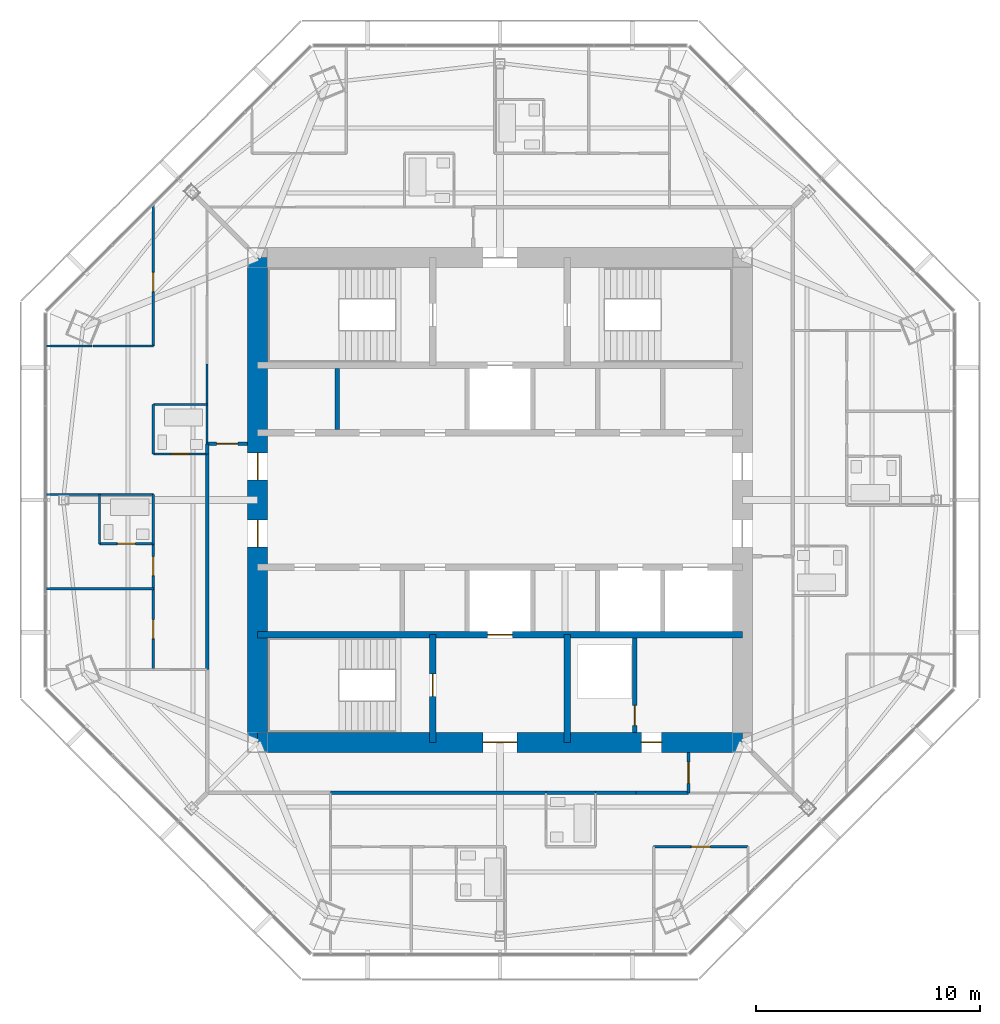
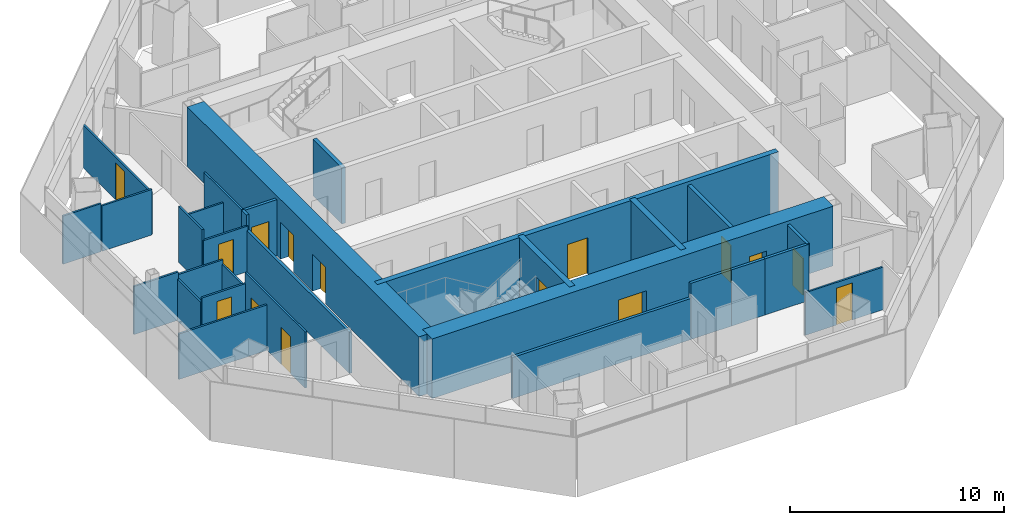
# One storey, part 10 of 15: 30 walls, 15 doors, 15 openings.
"""IFC4 building model written with IfcOpenShell, lengths in metres."""

from ifc_helpers import new_model, si_unit, direction, frame, frame_2d, origin, place, context, subcontext, project, spatial, rectangle, extrude, material, layer, layer_set, type_object, element, fill, save


model = new_model("IFC4")

# Units and contexts
model_context = context("Model", 3, precision=1e-05, world=origin(), true_north=direction((0.0, 1.0)))
body_context = subcontext(model_context, "Body", "Model", "MODEL_VIEW")
ifc_project = project(units=[si_unit("LENGTHUNIT", "METRE"), si_unit("AREAUNIT", "SQUARE_METRE"), si_unit("VOLUMEUNIT", "CUBIC_METRE"), si_unit("PLANEANGLEUNIT", "RADIAN"), si_unit("MASSUNIT", "GRAM", prefix="KILO")], contexts=[model_context])

# Site, building, storey
site_placement = place(None, origin())
site = spatial("IfcSite", under=ifc_project, at=site_placement, CompositionType="ELEMENT")
building_placement = place(site_placement, origin())
building = spatial("IfcBuilding", under=site, at=building_placement, Name="Mashrafa Tower", CompositionType="ELEMENT")
storey_placement = place(building_placement, frame((0.0, 0.0, 274.199951171875)))
storey = spatial("IfcBuildingStorey", under=building, at=storey_placement, Name="L66", CompositionType="ELEMENT", Elevation=274.199951171875)

# Wall, opening, door
ifc_material_1 = material(Name="Concrete masonry unit", Category="masonry")
ifc_layer_1 = layer(ifc_material_1, 0.199951171875)
ifc_layer_set_1 = layer_set([ifc_layer_1], Name="Blockwork wall 200 2 hr")
wall_type_1 = type_object("IfcWallType", Name="Blockwork wall 200 2 hr", PredefinedType="PARTITIONING", material=ifc_layer_set_1)
wall_1_placement = place(storey_placement, frame((6.0, -10.35009765625, 0.0), z_axis=(0.0, 0.0, 1.0), x_axis=(0.0, 1.0, 0.0)))
wall_1 = element("IfcWall", 1, at=wall_1_placement, inside=storey, type_object=wall_type_1, Name="Riser enclosure wall L66", PredefinedType="PARTITIONING", context=body_context, shape_type="SweptSolid", body=[
    extrude(rectangle(XDim=4.2001953125, YDim=0.199951171875, at=frame_2d((2.10009765625, 0.0))), origin(), (0.0, 0.0, 1.0), 3.199951171875),
])
opening_1_placement = place(wall_1_placement, frame((0.300048828125, 0.0, 0.0)))
opening_1 = element("IfcOpeningElement", 2, at=opening_1_placement, cuts=wall_1, Name="Opening 66.043", PredefinedType="OPENING", context=body_context, shape_type="SweptSolid", body=[
    extrude(rectangle(XDim=0.89990234375, YDim=2.10009765625, at=frame_2d((0.449951171875, 1.050048828125))), frame((0.0, 0.10986328125, 0.0), z_axis=(0.0, -1.0, 0.0), x_axis=(1.0, 0.0, 0.0)), (0.0, 0.0, 1.0), 0.219970703125),
])
ifc_material_2 = material(Name="Steel door", Category="steel")
door_type_1 = type_object("IfcDoorType", Name="Service door 900 x 2100 90 min", OperationType="USERDEFINED", PredefinedType="DOOR", material=ifc_material_2)
door_1_placement = place(opening_1_placement, origin())
door_1 = element("IfcDoor", 3, at=door_1_placement, inside=storey, type_object=door_type_1, Name="Riser door L66", OperationType="SINGLE_SWING_LEFT", OverallHeight=2.10009765625, OverallWidth=0.89990234375, PredefinedType="DOOR", context=body_context, shape_type="SweptSolid", body=[
    extrude(rectangle(XDim=0.89990234375, YDim=2.10009765625, at=frame_2d((0.449951171875, 1.050048828125))), frame((0.0, 0.02490234375, 0.0), z_axis=(0.0, -1.0, 0.0), x_axis=(1.0, 0.0, 0.0)), (0.0, 0.0, 1.0), 0.050048828125),
])
fill(opening_1, door_1)

ifc_material_3 = material(Name="Concrete C50/60", Category="concrete")
ifc_layer_2 = layer(ifc_material_3, 0.300048828125)
ifc_layer_set_2 = layer_set([ifc_layer_2], Name="Core wall 300 C50/60")
wall_type_2 = type_object("IfcWallType", Name="Core wall 300 C50/60", PredefinedType="SOLIDWALL", material=ifc_layer_set_2)
wall_2_placement = place(storey_placement, frame((-10.800048828125, -6.0, 0.0), z_axis=(0.0, 0.0, 1.0), x_axis=(1.0, 0.0, 0.0)))
wall_2 = element("IfcWall", 4, at=wall_2_placement, inside=storey, type_object=wall_type_2, Name="Core wall CB-S L66", PredefinedType="SOLIDWALL", context=body_context, shape_type="SweptSolid", body=[
    extrude(rectangle(XDim=21.60009765625, YDim=0.300048828125, at=frame_2d((10.800048828125, 0.0))), origin(), (0.0, 0.0, 1.0), 3.400146484375),
])
opening_2_placement = place(wall_2_placement, frame((10.25, 0.0, 0.0)))
opening_2 = element("IfcOpeningElement", 5, at=opening_2_placement, cuts=wall_2, Name="Opening 66.F2", PredefinedType="OPENING", context=body_context, shape_type="SweptSolid", body=[
    extrude(rectangle(XDim=1.10009765625, YDim=2.10009765625, at=frame_2d((0.550048828125, 1.050048828125))), frame((0.0, 0.159912109375, 0.0), z_axis=(0.0, -1.0, 0.0), x_axis=(1.0, 0.0, 0.0)), (0.0, 0.0, 1.0), 0.320068359375),
])
ifc_material_4 = material(Name="Steel door", Category="steel")
door_type_2 = type_object("IfcDoorType", Name="Lift landing door 1100 x 2100 90 min", OperationType="DOUBLE_DOOR_SLIDING", PredefinedType="DOOR", material=ifc_material_4)
door_2_placement = place(opening_2_placement, origin())
door_2 = element("IfcDoor", 6, at=door_2_placement, inside=storey, type_object=door_type_2, Name="Lift landing door F2 L66", OperationType="DOUBLE_DOOR_SLIDING", OverallHeight=2.10009765625, OverallWidth=1.10009765625, PredefinedType="DOOR", context=body_context, shape_type="SweptSolid", body=[
    extrude(rectangle(XDim=1.10009765625, YDim=2.10009765625, at=frame_2d((0.550048828125, 1.050048828125))), frame((0.0, 0.02490234375, 0.0), z_axis=(0.0, -1.0, 0.0), x_axis=(1.0, 0.0, 0.0)), (0.0, 0.0, 1.0), 0.050048828125),
])
fill(opening_2, door_2)

wall_3_placement = place(storey_placement, frame((-3.0, -6.0, 0.0), z_axis=(0.0, 0.0, 1.0), x_axis=(0.0, -1.0, 0.0)))
wall_3 = element("IfcWall", 7, at=wall_3_placement, inside=storey, type_object=wall_type_2, Name="Core wall CX-SW L66", PredefinedType="SOLIDWALL", context=body_context, shape_type="SweptSolid", body=[
    extrude(rectangle(XDim=4.800048828125, YDim=0.300048828125, at=frame_2d((2.39990234375, 0.0))), origin(), (0.0, 0.0, 1.0), 3.400146484375),
])
opening_3_placement = place(wall_3_placement, frame((1.75, 0.0, 0.0)))
opening_3 = element("IfcOpeningElement", 8, at=opening_3_placement, cuts=wall_3, Name="Opening 66.041", PredefinedType="OPENING", context=body_context, shape_type="SweptSolid", body=[
    extrude(rectangle(XDim=1.0, YDim=2.10009765625, at=frame_2d((0.5, 1.050048828125))), frame((0.0, 0.159912109375, 0.0), z_axis=(0.0, -1.0, 0.0), x_axis=(1.0, 0.0, 0.0)), (0.0, 0.0, 1.0), 0.320068359375),
])
ifc_material_5 = material(Name="Steel door", Category="steel")
door_type_3 = type_object("IfcDoorType", Name="Stair door 1000 x 2100 90 min", OperationType="USERDEFINED", PredefinedType="DOOR", material=ifc_material_5)
door_3_placement = place(opening_3_placement, frame((1.0, 0.0, 0.0), z_axis=(0.0, 0.0, 1.0), x_axis=(-1.0, 0.0, 0.0)))
door_3 = element("IfcDoor", 9, at=door_3_placement, inside=storey, type_object=door_type_3, Name="Stair S3 door L66", OperationType="SINGLE_SWING_RIGHT", OverallHeight=2.10009765625, OverallWidth=1.0, PredefinedType="DOOR", context=body_context, shape_type="SweptSolid", body=[
    extrude(rectangle(XDim=1.0, YDim=2.10009765625, at=frame_2d((0.5, 1.050048828125))), frame((0.0, 0.02490234375, 0.0), z_axis=(0.0, -1.0, 0.0), x_axis=(1.0, 0.0, 0.0)), (0.0, 0.0, 1.0), 0.050048828125),
])
fill(opening_3, door_3)

# Wall
wall_4_placement = place(storey_placement, frame((3.0, -6.0, 0.0), z_axis=(0.0, 0.0, 1.0), x_axis=(0.0, -1.0, 0.0)))
element("IfcWall", 10, at=wall_4_placement, inside=storey, type_object=wall_type_2, Name="Core wall CX-SE L66", PredefinedType="SOLIDWALL", context=body_context, shape_type="SweptSolid", body=[
    extrude(rectangle(XDim=4.800048828125, YDim=0.300048828125, at=frame_2d((2.39990234375, 0.0))), origin(), (0.0, 0.0, 1.0), 3.400146484375),
])

# Wall, openings, doors
ifc_material_6 = material(Name="Concrete C50/60", Category="concrete")
ifc_layer_3 = layer(ifc_material_6, 0.89990234375)
ifc_layer_set_3 = layer_set([ifc_layer_3], Name="Core wall 900 C50/60")
wall_type_3 = type_object("IfcWallType", Name="Core wall 900 C50/60", PredefinedType="SOLIDWALL", material=ifc_layer_set_3)
wall_5_placement = place(storey_placement, frame((-10.800048828125, -10.800048828125, 0.0), z_axis=(0.0, 0.0, 1.0), x_axis=(1.0, 0.0, 0.0)))
wall_5 = element("IfcWall", 11, at=wall_5_placement, inside=storey, type_object=wall_type_3, Name="Core wall CW-S L66", PredefinedType="SOLIDWALL", context=body_context, shape_type="SweptSolid", body=[
    extrude(rectangle(XDim=21.60009765625, YDim=0.89990234375, at=frame_2d((10.800048828125, 0.0))), origin(), (0.0, 0.0, 1.0), 3.400146484375),
])
opening_4_placement = place(wall_5_placement, frame((10.050048828125, 0.0, 0.0)))
opening_4 = element("IfcOpeningElement", 12, at=opening_4_placement, cuts=wall_5, Name="Opening 66.038", PredefinedType="OPENING", context=body_context, shape_type="SweptSolid", body=[
    extrude(rectangle(XDim=1.5, YDim=2.10009765625, at=frame_2d((0.75, 1.050048828125))), frame((0.0, 0.4599609375, 0.0), z_axis=(0.0, -1.0, 0.0), x_axis=(1.0, 0.0, 0.0)), (0.0, 0.0, 1.0), 0.919921875),
])
opening_5_placement = place(wall_5_placement, frame((17.10009765625, 0.0, 0.0)))
opening_5 = element("IfcOpeningElement", 13, at=opening_5_placement, cuts=wall_5, Name="Opening 66.042", PredefinedType="OPENING", context=body_context, shape_type="SweptSolid", body=[
    extrude(rectangle(XDim=0.89990234375, YDim=2.10009765625, at=frame_2d((0.449951171875, 1.050048828125))), frame((0.0, 0.4599609375, 0.0), z_axis=(0.0, -1.0, 0.0), x_axis=(1.0, 0.0, 0.0)), (0.0, 0.0, 1.0), 0.919921875),
])
ifc_material_7 = material(Name="Steel door", Category="steel")
door_type_4 = type_object("IfcDoorType", Name="Lobby door pair 1500 x 2100 90 min", OperationType="DOUBLE_DOOR_SINGLE_SWING", PredefinedType="DOOR", material=ifc_material_7)
door_4_placement = place(opening_4_placement, origin())
door_4 = element("IfcDoor", 14, at=door_4_placement, inside=storey, type_object=door_type_4, Name="Fire-fighting lobby F2 door L66", OperationType="DOUBLE_DOOR_SINGLE_SWING", OverallHeight=2.10009765625, OverallWidth=1.5, PredefinedType="DOOR", context=body_context, shape_type="SweptSolid", body=[
    extrude(rectangle(XDim=1.5, YDim=2.10009765625, at=frame_2d((0.75, 1.050048828125))), frame((0.0, 0.02490234375, 0.0), z_axis=(0.0, -1.0, 0.0), x_axis=(1.0, 0.0, 0.0)), (0.0, 0.0, 1.0), 0.050048828125),
])
fill(opening_4, door_4)
door_5_placement = place(opening_5_placement, origin())
door_5 = element("IfcDoor", 15, at=door_5_placement, inside=storey, type_object=door_type_1, Name="Electrical Room L66 door", OperationType="SINGLE_SWING_LEFT", OverallHeight=2.10009765625, OverallWidth=0.89990234375, PredefinedType="DOOR", context=body_context, shape_type="SweptSolid", body=[
    extrude(rectangle(XDim=0.89990234375, YDim=2.10009765625, at=frame_2d((0.449951171875, 1.050048828125))), frame((0.0, 0.02490234375, 0.0), z_axis=(0.0, -1.0, 0.0), x_axis=(1.0, 0.0, 0.0)), (0.0, 0.0, 1.0), 0.050048828125),
])
fill(opening_5, door_5)

wall_6_placement = place(storey_placement, frame((-10.800048828125, 10.800048828125, 0.0), z_axis=(0.0, 0.0, 1.0), x_axis=(0.0, -1.0, 0.0)))
wall_6 = element("IfcWall", 16, at=wall_6_placement, inside=storey, type_object=wall_type_3, Name="Core wall CW-W L66", PredefinedType="SOLIDWALL", context=body_context, shape_type="SweptSolid", body=[
    extrude(rectangle(XDim=21.60009765625, YDim=0.89990234375, at=frame_2d((10.800048828125, 0.0))), origin(), (0.0, 0.0, 1.0), 3.400146484375),
])
opening_6_placement = place(wall_6_placement, frame((8.699951171875, 0.0, 0.0)))
opening_6 = element("IfcOpeningElement", 17, at=opening_6_placement, cuts=wall_6, Name="Opening 66.034", PredefinedType="OPENING", context=body_context, shape_type="SweptSolid", body=[
    extrude(rectangle(XDim=1.199951171875, YDim=2.10009765625, at=frame_2d((0.60009765625, 1.050048828125))), frame((0.0, 0.4599609375, 0.0), z_axis=(0.0, -1.0, 0.0), x_axis=(1.0, 0.0, 0.0)), (0.0, 0.0, 1.0), 0.919921875),
])
opening_7_placement = place(wall_6_placement, frame((11.699951171875, 0.0, 0.0)))
opening_7 = element("IfcOpeningElement", 18, at=opening_7_placement, cuts=wall_6, Name="Opening 66.036", PredefinedType="OPENING", context=body_context, shape_type="SweptSolid", body=[
    extrude(rectangle(XDim=1.199951171875, YDim=2.10009765625, at=frame_2d((0.60009765625, 1.050048828125))), frame((0.0, 0.4599609375, 0.0), z_axis=(0.0, -1.0, 0.0), x_axis=(1.0, 0.0, 0.0)), (0.0, 0.0, 1.0), 0.919921875),
])
ifc_material_8 = material(Name="Steel door", Category="steel")
door_type_5 = type_object("IfcDoorType", Name="Lift hall door 1200 x 2100 90 min", OperationType="USERDEFINED", PredefinedType="DOOR", material=ifc_material_8)
door_6_placement = place(opening_6_placement, origin())
door_6 = element("IfcDoor", 19, at=door_6_placement, inside=storey, type_object=door_type_5, Name="Lift hall door west L66", OperationType="SINGLE_SWING_LEFT", OverallHeight=2.10009765625, OverallWidth=1.199951171875, PredefinedType="DOOR", context=body_context, shape_type="SweptSolid", body=[
    extrude(rectangle(XDim=1.199951171875, YDim=2.10009765625, at=frame_2d((0.60009765625, 1.050048828125))), frame((0.0, 0.02490234375, 0.0), z_axis=(0.0, -1.0, 0.0), x_axis=(1.0, 0.0, 0.0)), (0.0, 0.0, 1.0), 0.050048828125),
])
fill(opening_6, door_6)
door_7_placement = place(opening_7_placement, frame((1.199951171875, 0.0, 0.0), z_axis=(0.0, 0.0, 1.0), x_axis=(-1.0, 0.0, 0.0)))
door_7 = element("IfcDoor", 20, at=door_7_placement, inside=storey, type_object=door_type_5, Name="Lift hall door west L66", OperationType="SINGLE_SWING_RIGHT", OverallHeight=2.10009765625, OverallWidth=1.199951171875, PredefinedType="DOOR", context=body_context, shape_type="SweptSolid", body=[
    extrude(rectangle(XDim=1.199951171875, YDim=2.10009765625, at=frame_2d((0.60009765625, 1.050048828125))), frame((0.0, 0.02490234375, 0.0), z_axis=(0.0, -1.0, 0.0), x_axis=(1.0, 0.0, 0.0)), (0.0, 0.0, 1.0), 0.050048828125),
])
fill(opening_7, door_7)

# Walls
ifc_material_9 = material(Name="Gypsum board on steel studs", Category="steel")
ifc_layer_4 = layer(ifc_material_9, 0.14990234375)
ifc_layer_set_4 = layer_set([ifc_layer_4], Name="Corridor partition 150 1 hr")
wall_type_4 = type_object("IfcWallType", Name="Corridor partition 150 1 hr", PredefinedType="PARTITIONING", material=ifc_layer_set_4)
wall_7_placement = place(storey_placement, frame((-13.050048828125, 2.5, 0.0), z_axis=(0.0, 0.0, 1.0), x_axis=(0.0, -1.0, 0.0)))
element("IfcWall", 21, at=wall_7_placement, inside=storey, type_object=wall_type_4, Name="Corridor wall L66-008", PredefinedType="PARTITIONING", context=body_context, shape_type="SweptSolid", body=[
    extrude(rectangle(XDim=0.450927734375, YDim=0.14990234375, at=frame_2d((0.2255859375, 0.0))), origin(), (0.0, 0.0, 1.0), 3.199951171875),
])
wall_8_placement = place(storey_placement, frame((-13.050048828125, 2.051025390625, 0.0), z_axis=(0.0, 0.0, 1.0), x_axis=(0.0, -1.0, 0.0)))
element("IfcWall", 22, at=wall_8_placement, inside=storey, type_object=wall_type_4, Name="Corridor wall L66-010", PredefinedType="PARTITIONING", context=body_context, shape_type="SweptSolid", body=[
    extrude(rectangle(XDim=9.60205078125, YDim=0.14990234375, at=frame_2d((4.801025390625, 0.0))), origin(), (0.0, 0.0, 1.0), 2.34423828125),
])
wall_9_placement = place(storey_placement, frame((4.2490234375, -13.050048828125, 0.0), z_axis=(0.0, 0.0, 1.0), x_axis=(1.0, 0.0, 0.0)))
element("IfcWall", 23, at=wall_9_placement, inside=storey, type_object=wall_type_4, Name="Corridor wall L66-011", PredefinedType="PARTITIONING", context=body_context, shape_type="SweptSolid", body=[
    extrude(rectangle(XDim=1.802001953125, YDim=0.14990234375, at=frame_2d((0.90087890625, 0.0))), origin(), (0.0, 0.0, 1.0), 3.199951171875),
])
wall_10_placement = place(storey_placement, frame((2.049072265625, -13.050048828125, 0.0), z_axis=(0.0, 0.0, 1.0), x_axis=(1.0, 0.0, 0.0)))
element("IfcWall", 24, at=wall_10_placement, inside=storey, type_object=wall_type_4, Name="Corridor wall L66-012", PredefinedType="PARTITIONING", context=body_context, shape_type="SweptSolid", body=[
    extrude(rectangle(XDim=2.201904296875, YDim=0.14990234375, at=frame_2d((1.10107421875, 0.0))), origin(), (0.0, 0.0, 1.0), 3.199951171875),
])
wall_11_placement = place(storey_placement, frame((-7.551025390625, -13.050048828125, 0.0), z_axis=(0.0, 0.0, 1.0), x_axis=(1.0, 0.0, 0.0)))
element("IfcWall", 25, at=wall_11_placement, inside=storey, type_object=wall_type_4, Name="Corridor wall L66-014", PredefinedType="PARTITIONING", context=body_context, shape_type="SweptSolid", body=[
    extrude(rectangle(XDim=9.60205078125, YDim=0.14990234375, at=frame_2d((4.801025390625, 0.0))), origin(), (0.0, 0.0, 1.0), 2.34423828125),
])
wall_12_placement = place(storey_placement, frame((6.049072265625, -13.050048828125, 0.0), z_axis=(0.0, 0.0, 1.0), x_axis=(1.0, 0.0, 0.0)))
element("IfcWall", 26, at=wall_12_placement, inside=storey, type_object=wall_type_4, Name="Corridor wall L66-015", PredefinedType="PARTITIONING", context=body_context, shape_type="SweptSolid", body=[
    extrude(rectangle(XDim=2.350830078125, YDim=0.14990234375, at=frame_2d((1.17529296875, 0.0))), origin(), (0.0, 0.0, 1.0), 3.199951171875),
])

# Wall, opening, door
wall_13_placement = place(storey_placement, frame((8.39990234375, -13.050048828125, 0.0), z_axis=(0.0, 0.0, 1.0), x_axis=(0.0, 1.0, 0.0)))
wall_13 = element("IfcWall", 27, at=wall_13_placement, inside=storey, type_object=wall_type_4, Name="Corridor wall L66-016", PredefinedType="PARTITIONING", context=body_context, shape_type="SweptSolid", body=[
    extrude(rectangle(XDim=1.800048828125, YDim=0.14990234375, at=frame_2d((0.89990234375, 0.0))), origin(), (0.0, 0.0, 1.0), 3.199951171875),
])
opening_8_placement = place(wall_13_placement, frame((0.425048828125, 0.0, 0.0)))
opening_8 = element("IfcOpeningElement", 28, at=opening_8_placement, cuts=wall_13, Name="Opening 66.030", PredefinedType="OPENING", context=body_context, shape_type="SweptSolid", body=[
    extrude(rectangle(XDim=0.949951171875, YDim=2.10009765625, at=frame_2d((0.47509765625, 1.050048828125))), frame((0.0, 0.0849609375, 0.0), z_axis=(0.0, -1.0, 0.0), x_axis=(1.0, 0.0, 0.0)), (0.0, 0.0, 1.0), 0.169921875),
])
ifc_material_10 = material(Name="Steel door", Category="steel")
door_type_6 = type_object("IfcDoorType", Name="Residence entrance door 950 x 2100 20 min", OperationType="USERDEFINED", PredefinedType="DOOR", material=ifc_material_10)
door_8_placement = place(opening_8_placement, origin())
door_8 = element("IfcDoor", 29, at=door_8_placement, inside=storey, type_object=door_type_6, Name="Apartment 6604 Entrance Hall door", OperationType="SINGLE_SWING_LEFT", OverallHeight=2.10009765625, OverallWidth=0.949951171875, PredefinedType="DOOR", context=body_context, shape_type="SweptSolid", body=[
    extrude(rectangle(XDim=0.949951171875, YDim=2.10009765625, at=frame_2d((0.47509765625, 1.050048828125))), frame((0.0, 0.02490234375, 0.0), z_axis=(0.0, -1.0, 0.0), x_axis=(1.0, 0.0, 0.0)), (0.0, 0.0, 1.0), 0.050048828125),
])
fill(opening_8, door_8)

wall_14_placement = place(storey_placement, frame((-11.25, 2.5, 0.0), z_axis=(0.0, 0.0, 1.0), x_axis=(-1.0, 0.0, 0.0)))
wall_14 = element("IfcWall", 30, at=wall_14_placement, inside=storey, type_object=wall_type_4, Name="Corridor wall L66-017", PredefinedType="PARTITIONING", context=body_context, shape_type="SweptSolid", body=[
    extrude(rectangle(XDim=1.800048828125, YDim=0.14990234375, at=frame_2d((0.89990234375, 0.0))), origin(), (0.0, 0.0, 1.0), 3.199951171875),
])
opening_9_placement = place(wall_14_placement, frame((0.425048828125, 0.0, 0.0)))
opening_9 = element("IfcOpeningElement", 31, at=opening_9_placement, cuts=wall_14, Name="Opening 66.032", PredefinedType="OPENING", context=body_context, shape_type="SweptSolid", body=[
    extrude(rectangle(XDim=0.949951171875, YDim=2.10009765625, at=frame_2d((0.47509765625, 1.050048828125))), frame((0.0, 0.0849609375, 0.0), z_axis=(0.0, -1.0, 0.0), x_axis=(1.0, 0.0, 0.0)), (0.0, 0.0, 1.0), 0.169921875),
])
door_9_placement = place(opening_9_placement, origin())
door_9 = element("IfcDoor", 32, at=door_9_placement, inside=storey, type_object=door_type_6, Name="Apartment 6603 Entrance Hall door", OperationType="SINGLE_SWING_RIGHT", OverallHeight=2.10009765625, OverallWidth=0.949951171875, PredefinedType="DOOR", context=body_context, shape_type="SweptSolid", body=[
    extrude(rectangle(XDim=0.949951171875, YDim=2.10009765625, at=frame_2d((0.47509765625, 1.050048828125))), frame((0.0, 0.02490234375, 0.0), z_axis=(0.0, -1.0, 0.0), x_axis=(1.0, 0.0, 0.0)), (0.0, 0.0, 1.0), 0.050048828125),
])
fill(opening_9, door_9)

# Walls
ifc_material_11 = material(Name="Gypsum board on steel studs", Category="steel")
ifc_layer_5 = layer(ifc_material_11, 0.10009765625)
ifc_layer_set_5 = layer_set([ifc_layer_5], Name="Partition 100")
wall_type_5 = type_object("IfcWallType", Name="Partition 100", PredefinedType="PARTITIONING", material=ifc_layer_set_5)
wall_15_placement = place(storey_placement, frame((-20.239990234375, 6.86279296875, 0.0), z_axis=(0.0, 0.0, 1.0), x_axis=(1.0, 0.0, 0.0)))
element("IfcWall", 33, at=wall_15_placement, inside=storey, type_object=wall_type_5, Name="Partition wall L66-025", PredefinedType="PARTITIONING", context=body_context, shape_type="SweptSolid", body=[
    extrude(rectangle(XDim=2.054443359375, YDim=0.10009765625, at=frame_2d((1.02734375, 0.0))), origin(), (0.0, 0.0, 1.0), 2.740478515625),
])
wall_16_placement = place(storey_placement, frame((-18.141845703125, 6.86279296875, 0.0), z_axis=(0.0, 0.0, 1.0), x_axis=(1.0, 0.0, 0.0)))
element("IfcWall", 34, at=wall_16_placement, inside=storey, type_object=wall_type_5, Name="Partition wall L66-026", PredefinedType="PARTITIONING", context=body_context, shape_type="SweptSolid", body=[
    extrude(rectangle(XDim=2.69189453125, YDim=0.10009765625, at=frame_2d((1.345947265625, 0.0))), origin(), (0.0, 0.0, 1.0), 2.590576171875),
])

# Wall, opening, door
wall_17_placement = place(storey_placement, frame((-15.449951171875, 6.86279296875, 0.0), z_axis=(0.0, 0.0, 1.0), x_axis=(0.0, 1.0, 0.0)))
wall_17 = element("IfcWall", 35, at=wall_17_placement, inside=storey, type_object=wall_type_5, Name="Partition wall L66-027", PredefinedType="PARTITIONING", context=body_context, shape_type="SweptSolid", body=[
    extrude(rectangle(XDim=6.314453125, YDim=0.10009765625, at=frame_2d((3.1572265625, 0.0))), origin(), (0.0, 0.0, 1.0), 2.427978515625),
])
opening_10_placement = place(wall_17_placement, frame((2.425048828125, 0.0, 0.0)))
opening_10 = element("IfcOpeningElement", 36, at=opening_10_placement, cuts=wall_17, Name="Opening 66.003", PredefinedType="OPENING", context=body_context, shape_type="SweptSolid", body=[
    extrude(rectangle(XDim=0.85009765625, YDim=2.10009765625, at=frame_2d((0.425048828125, 1.050048828125))), frame((0.0, 0.06005859375, 0.0), z_axis=(0.0, -1.0, 0.0), x_axis=(1.0, 0.0, 0.0)), (0.0, 0.0, 1.0), 0.1201171875),
])
ifc_material_12 = material(Name="Timber door", Category="wood")
door_type_7 = type_object("IfcDoorType", Name="Bedroom door 850 x 2100", OperationType="USERDEFINED", PredefinedType="DOOR", material=ifc_material_12)
door_10_placement = place(opening_10_placement, origin())
door_10 = element("IfcDoor", 37, at=door_10_placement, inside=storey, type_object=door_type_7, Name="Apartment 6603 Dining Room door", OperationType="SINGLE_SWING_RIGHT", OverallHeight=2.10009765625, OverallWidth=0.85009765625, PredefinedType="DOOR", context=body_context, shape_type="SweptSolid", body=[
    extrude(rectangle(XDim=0.85009765625, YDim=2.10009765625, at=frame_2d((0.425048828125, 1.050048828125))), frame((0.0, 0.02490234375, 0.0), z_axis=(0.0, -1.0, 0.0), x_axis=(1.0, 0.0, 0.0)), (0.0, 0.0, 1.0), 0.050048828125),
])
fill(opening_10, door_10)

wall_18_placement = place(storey_placement, frame((11.050048828125, -15.449951171875, 0.0), z_axis=(0.0, 0.0, 1.0), x_axis=(-1.0, 0.0, 0.0)))
wall_18 = element("IfcWall", 38, at=wall_18_placement, inside=storey, type_object=wall_type_5, Name="Partition wall L66-029", PredefinedType="PARTITIONING", context=body_context, shape_type="SweptSolid", body=[
    extrude(rectangle(XDim=4.199951171875, YDim=0.10009765625, at=frame_2d((2.10009765625, 0.0))), origin(), (0.0, 0.0, 1.0), 2.427978515625),
])
opening_11_placement = place(wall_18_placement, frame((1.675048828125, 0.0, 0.0)))
opening_11 = element("IfcOpeningElement", 39, at=opening_11_placement, cuts=wall_18, Name="Opening 66.004", PredefinedType="OPENING", context=body_context, shape_type="SweptSolid", body=[
    extrude(rectangle(XDim=0.85009765625, YDim=2.10009765625, at=frame_2d((0.425048828125, 1.050048828125))), frame((0.0, 0.06005859375, 0.0), z_axis=(0.0, -1.0, 0.0), x_axis=(1.0, 0.0, 0.0)), (0.0, 0.0, 1.0), 0.1201171875),
])
door_11_placement = place(opening_11_placement, origin())
door_11 = element("IfcDoor", 40, at=door_11_placement, inside=storey, type_object=door_type_7, Name="Apartment 6604 Dining Room door", OperationType="SINGLE_SWING_LEFT", OverallHeight=2.10009765625, OverallWidth=0.85009765625, PredefinedType="DOOR", context=body_context, shape_type="SweptSolid", body=[
    extrude(rectangle(XDim=0.85009765625, YDim=2.10009765625, at=frame_2d((0.425048828125, 1.050048828125))), frame((0.0, 0.02490234375, 0.0), z_axis=(0.0, -1.0, 0.0), x_axis=(1.0, 0.0, 0.0)), (0.0, 0.0, 1.0), 0.050048828125),
])
fill(opening_11, door_11)

# Walls
wall_19_placement = place(storey_placement, frame((-15.449951171875, 4.25, 0.0), z_axis=(0.0, 0.0, 1.0), x_axis=(1.0, 0.0, 0.0)))
element("IfcWall", 41, at=wall_19_placement, inside=storey, type_object=wall_type_5, Name="Partition wall L66-070", PredefinedType="PARTITIONING", context=body_context, shape_type="SweptSolid", body=[
    extrude(rectangle(XDim=2.39990234375, YDim=0.10009765625, at=frame_2d((1.199951171875, 0.0))), origin(), (0.0, 0.0, 1.0), 2.590576171875),
])
wall_20_placement = place(storey_placement, frame((-13.050048828125, 6.050048828125, 0.0), z_axis=(0.0, 0.0, 1.0), x_axis=(0.0, -1.0, 0.0)))
element("IfcWall", 42, at=wall_20_placement, inside=storey, type_object=wall_type_5, Name="Partition wall L66-071", PredefinedType="PARTITIONING", context=body_context, shape_type="SweptSolid", body=[
    extrude(rectangle(XDim=3.551025390625, YDim=0.10009765625, at=frame_2d((1.775390625, 0.0))), origin(), (0.0, 0.0, 1.0), 3.199951171875),
])
wall_21_placement = place(storey_placement, frame((-15.449951171875, 4.25, 0.0), z_axis=(0.0, 0.0, 1.0), x_axis=(0.0, -1.0, 0.0)))
element("IfcWall", 43, at=wall_21_placement, inside=storey, type_object=wall_type_5, Name="Partition wall L66-072", PredefinedType="PARTITIONING", context=body_context, shape_type="SweptSolid", body=[
    extrude(rectangle(XDim=2.199951171875, YDim=0.10009765625, at=frame_2d((1.10009765625, 0.0))), origin(), (0.0, 0.0, 1.0), 3.199951171875),
])

# Wall, opening, door
wall_22_placement = place(storey_placement, frame((-15.449951171875, 2.050048828125, 0.0), z_axis=(0.0, 0.0, 1.0), x_axis=(1.0, 0.0, 0.0)))
wall_22 = element("IfcWall", 44, at=wall_22_placement, inside=storey, type_object=wall_type_5, Name="Partition wall L66-073", PredefinedType="PARTITIONING", context=body_context, shape_type="SweptSolid", body=[
    extrude(rectangle(XDim=2.39990234375, YDim=0.10009765625, at=frame_2d((1.199951171875, 0.0))), origin(), (0.0, 0.0, 1.0), 2.590576171875),
])
opening_12_placement = place(wall_22_placement, frame((0.800048828125, 0.0, 0.0)))
opening_12 = element("IfcOpeningElement", 45, at=opening_12_placement, cuts=wall_22, Name="Opening 66.017", PredefinedType="OPENING", context=body_context, shape_type="SweptSolid", body=[
    extrude(rectangle(XDim=0.800048828125, YDim=2.10009765625, at=frame_2d((0.39990234375, 1.050048828125))), frame((0.0, 0.06005859375, 0.0), z_axis=(0.0, -1.0, 0.0), x_axis=(1.0, 0.0, 0.0)), (0.0, 0.0, 1.0), 0.1201171875),
])
ifc_material_13 = material(Name="Timber door", Category="wood")
door_type_8 = type_object("IfcDoorType", Name="Bathroom door 800 x 2100", OperationType="USERDEFINED", PredefinedType="DOOR", material=ifc_material_13)
door_12_placement = place(opening_12_placement, origin())
door_12 = element("IfcDoor", 46, at=door_12_placement, inside=storey, type_object=door_type_8, Name="Apartment 6603 Bathroom door", OperationType="SINGLE_SWING_RIGHT", OverallHeight=2.10009765625, OverallWidth=0.800048828125, PredefinedType="DOOR", context=body_context, shape_type="SweptSolid", body=[
    extrude(rectangle(XDim=0.800048828125, YDim=2.10009765625, at=frame_2d((0.39990234375, 1.050048828125))), frame((0.0, 0.02490234375, 0.0), z_axis=(0.0, -1.0, 0.0), x_axis=(1.0, 0.0, 0.0)), (0.0, 0.0, 1.0), 0.050048828125),
])
fill(opening_12, door_12)

# Wall
wall_23_placement = place(storey_placement, frame((-17.85009765625, 0.25, 0.0), z_axis=(0.0, 0.0, 1.0), x_axis=(0.0, -1.0, 0.0)))
element("IfcWall", 47, at=wall_23_placement, inside=storey, type_object=wall_type_5, Name="Partition wall L66-075", PredefinedType="PARTITIONING", context=body_context, shape_type="SweptSolid", body=[
    extrude(rectangle(XDim=2.199951171875, YDim=0.10009765625, at=frame_2d((1.10009765625, 0.0))), origin(), (0.0, 0.0, 1.0), 2.34423828125),
])

# Wall, opening, door
wall_24_placement = place(storey_placement, frame((-17.85009765625, -1.949951171875, 0.0), z_axis=(0.0, 0.0, 1.0), x_axis=(1.0, 0.0, 0.0)))
wall_24 = element("IfcWall", 48, at=wall_24_placement, inside=storey, type_object=wall_type_5, Name="Partition wall L66-076", PredefinedType="PARTITIONING", context=body_context, shape_type="SweptSolid", body=[
    extrude(rectangle(XDim=2.400146484375, YDim=0.10009765625, at=frame_2d((1.2001953125, 0.0))), origin(), (0.0, 0.0, 1.0), 2.590576171875),
])
opening_13_placement = place(wall_24_placement, frame((0.800048828125, 0.0, 0.0)))
opening_13 = element("IfcOpeningElement", 49, at=opening_13_placement, cuts=wall_24, Name="Opening 66.018", PredefinedType="OPENING", context=body_context, shape_type="SweptSolid", body=[
    extrude(rectangle(XDim=0.800048828125, YDim=2.10009765625, at=frame_2d((0.39990234375, 1.050048828125))), frame((0.0, 0.06005859375, 0.0), z_axis=(0.0, -1.0, 0.0), x_axis=(1.0, 0.0, 0.0)), (0.0, 0.0, 1.0), 0.1201171875),
])
door_13_placement = place(opening_13_placement, origin())
door_13 = element("IfcDoor", 50, at=door_13_placement, inside=storey, type_object=door_type_8, Name="Apartment 6603 En-suite Bathroom door", OperationType="SINGLE_SWING_LEFT", OverallHeight=2.10009765625, OverallWidth=0.800048828125, PredefinedType="DOOR", context=body_context, shape_type="SweptSolid", body=[
    extrude(rectangle(XDim=0.800048828125, YDim=2.10009765625, at=frame_2d((0.39990234375, 1.050048828125))), frame((0.0, 0.02490234375, 0.0), z_axis=(0.0, -1.0, 0.0), x_axis=(1.0, 0.0, 0.0)), (0.0, 0.0, 1.0), 0.050048828125),
])
fill(opening_13, door_13)

# Walls
wall_25_placement = place(storey_placement, frame((-15.449951171875, -1.949951171875, 0.0), z_axis=(0.0, 0.0, 1.0), x_axis=(0.0, 1.0, 0.0)))
element("IfcWall", 51, at=wall_25_placement, inside=storey, type_object=wall_type_5, Name="Partition wall L66-077", PredefinedType="PARTITIONING", context=body_context, shape_type="SweptSolid", body=[
    extrude(rectangle(XDim=2.199951171875, YDim=0.10009765625, at=frame_2d((1.10009765625, 0.0))), origin(), (0.0, 0.0, 1.0), 2.34423828125),
])
wall_26_placement = place(storey_placement, frame((-15.449951171875, 0.25, 0.0), z_axis=(0.0, 0.0, 1.0), x_axis=(-1.0, 0.0, 0.0)))
element("IfcWall", 52, at=wall_26_placement, inside=storey, type_object=wall_type_5, Name="Partition wall L66-078", PredefinedType="PARTITIONING", context=body_context, shape_type="SweptSolid", body=[
    extrude(rectangle(XDim=2.400146484375, YDim=0.10009765625, at=frame_2d((1.2001953125, 0.0))), origin(), (0.0, 0.0, 1.0), 2.590576171875),
])
wall_27_placement = place(storey_placement, frame((-20.239990234375, -3.949951171875, 0.0), z_axis=(0.0, 0.0, 1.0), x_axis=(1.0, 0.0, 0.0)))
element("IfcWall", 53, at=wall_27_placement, inside=storey, type_object=wall_type_5, Name="Partition wall L66-079", PredefinedType="PARTITIONING", context=body_context, shape_type="SweptSolid", body=[
    extrude(rectangle(XDim=4.7900390625, YDim=0.10009765625, at=frame_2d((2.39501953125, 0.0))), origin(), (0.0, 0.0, 1.0), 2.590576171875),
])
wall_28_placement = place(storey_placement, frame((-17.85009765625, 0.25, 0.0), z_axis=(0.0, 0.0, 1.0), x_axis=(-1.0, 0.0, 0.0)))
element("IfcWall", 54, at=wall_28_placement, inside=storey, type_object=wall_type_5, Name="Partition wall L66-080", PredefinedType="PARTITIONING", context=body_context, shape_type="SweptSolid", body=[
    extrude(rectangle(XDim=2.389892578125, YDim=0.10009765625, at=frame_2d((1.19482421875, 0.0))), origin(), (0.0, 0.0, 1.0), 2.740478515625),
])

# Wall, openings, doors
wall_29_placement = place(storey_placement, frame((-15.449951171875, -1.949951171875, 0.0), z_axis=(0.0, 0.0, 1.0), x_axis=(0.0, -1.0, 0.0)))
wall_29 = element("IfcWall", 55, at=wall_29_placement, inside=storey, type_object=wall_type_5, Name="Partition wall L66-081", PredefinedType="PARTITIONING", context=body_context, shape_type="SweptSolid", body=[
    extrude(rectangle(XDim=5.60009765625, YDim=0.10009765625, at=frame_2d((2.800048828125, 0.0))), origin(), (0.0, 0.0, 1.0), 3.199951171875),
])
opening_14_placement = place(wall_29_placement, frame((0.574951171875, 0.0, 0.0)))
opening_14 = element("IfcOpeningElement", 56, at=opening_14_placement, cuts=wall_29, Name="Opening 66.019", PredefinedType="OPENING", context=body_context, shape_type="SweptSolid", body=[
    extrude(rectangle(XDim=0.85009765625, YDim=2.10009765625, at=frame_2d((0.425048828125, 1.050048828125))), frame((0.0, 0.06005859375, 0.0), z_axis=(0.0, -1.0, 0.0), x_axis=(1.0, 0.0, 0.0)), (0.0, 0.0, 1.0), 0.1201171875),
])
opening_15_placement = place(wall_29_placement, frame((3.375, 0.0, 0.0)))
opening_15 = element("IfcOpeningElement", 57, at=opening_15_placement, cuts=wall_29, Name="Opening 66.020", PredefinedType="OPENING", context=body_context, shape_type="SweptSolid", body=[
    extrude(rectangle(XDim=0.85009765625, YDim=2.10009765625, at=frame_2d((0.425048828125, 1.050048828125))), frame((0.0, 0.06005859375, 0.0), z_axis=(0.0, -1.0, 0.0), x_axis=(1.0, 0.0, 0.0)), (0.0, 0.0, 1.0), 0.1201171875),
])
door_14_placement = place(opening_14_placement, frame((0.85009765625, 0.0, 0.0), z_axis=(0.0, 0.0, 1.0), x_axis=(-1.0, 0.0, 0.0)))
door_14 = element("IfcDoor", 58, at=door_14_placement, inside=storey, type_object=door_type_7, Name="Apartment 6603 Bedroom 1 door", OperationType="SINGLE_SWING_LEFT", OverallHeight=2.10009765625, OverallWidth=0.85009765625, PredefinedType="DOOR", context=body_context, shape_type="SweptSolid", body=[
    extrude(rectangle(XDim=0.85009765625, YDim=2.10009765625, at=frame_2d((0.425048828125, 1.050048828125))), frame((0.0, 0.02490234375, 0.0), z_axis=(0.0, -1.0, 0.0), x_axis=(1.0, 0.0, 0.0)), (0.0, 0.0, 1.0), 0.050048828125),
])
fill(opening_14, door_14)
door_15_placement = place(opening_15_placement, frame((0.85009765625, 0.0, 0.0), z_axis=(0.0, 0.0, 1.0), x_axis=(-1.0, 0.0, 0.0)))
door_15 = element("IfcDoor", 59, at=door_15_placement, inside=storey, type_object=door_type_7, Name="Apartment 6603 Bedroom 2 door", OperationType="SINGLE_SWING_LEFT", OverallHeight=2.10009765625, OverallWidth=0.85009765625, PredefinedType="DOOR", context=body_context, shape_type="SweptSolid", body=[
    extrude(rectangle(XDim=0.85009765625, YDim=2.10009765625, at=frame_2d((0.425048828125, 1.050048828125))), frame((0.0, 0.02490234375, 0.0), z_axis=(0.0, -1.0, 0.0), x_axis=(1.0, 0.0, 0.0)), (0.0, 0.0, 1.0), 0.050048828125),
])
fill(opening_15, door_15)

# Wall
ifc_material_14 = material(Name="Gypsum shaft wall on steel studs", Category="steel")
ifc_layer_6 = layer(ifc_material_14, 0.199951171875)
ifc_layer_set_6 = layer_set([ifc_layer_6], Name="Shaft divider wall 200 2 hr")
wall_type_6 = type_object("IfcWallType", Name="Shaft divider wall 200 2 hr", PredefinedType="PARTITIONING", material=ifc_layer_set_6)
wall_30_placement = place(storey_placement, frame((-7.25, 3.14990234375, 0.0), z_axis=(0.0, 0.0, 1.0), x_axis=(0.0, 1.0, 0.0)))
element("IfcWall", 60, at=wall_30_placement, inside=storey, type_object=wall_type_6, Name="Shaft divider wall N1 L66", PredefinedType="PARTITIONING", context=body_context, shape_type="SweptSolid", body=[
    extrude(rectangle(XDim=2.7001953125, YDim=0.199951171875, at=frame_2d((1.35009765625, 0.0))), origin(), (0.0, 0.0, 1.0), 3.199951171875),
])

save(model, "model.ifc")
